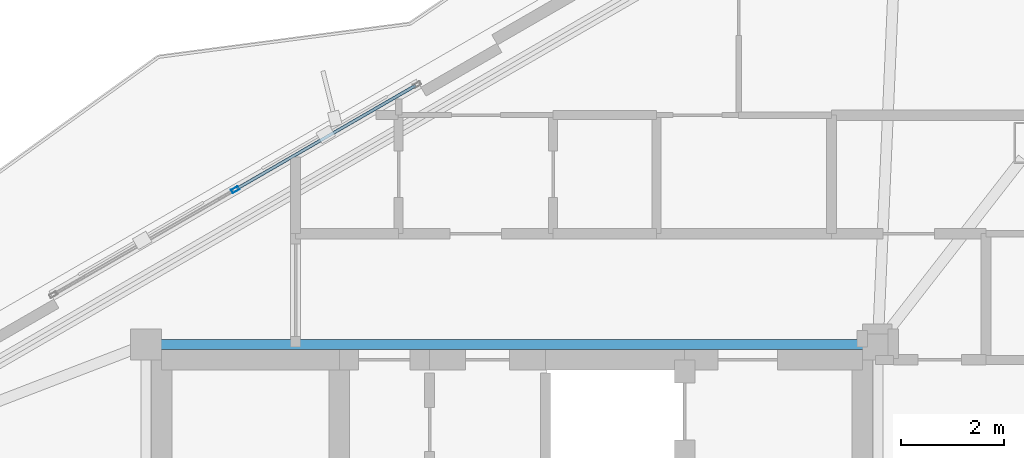
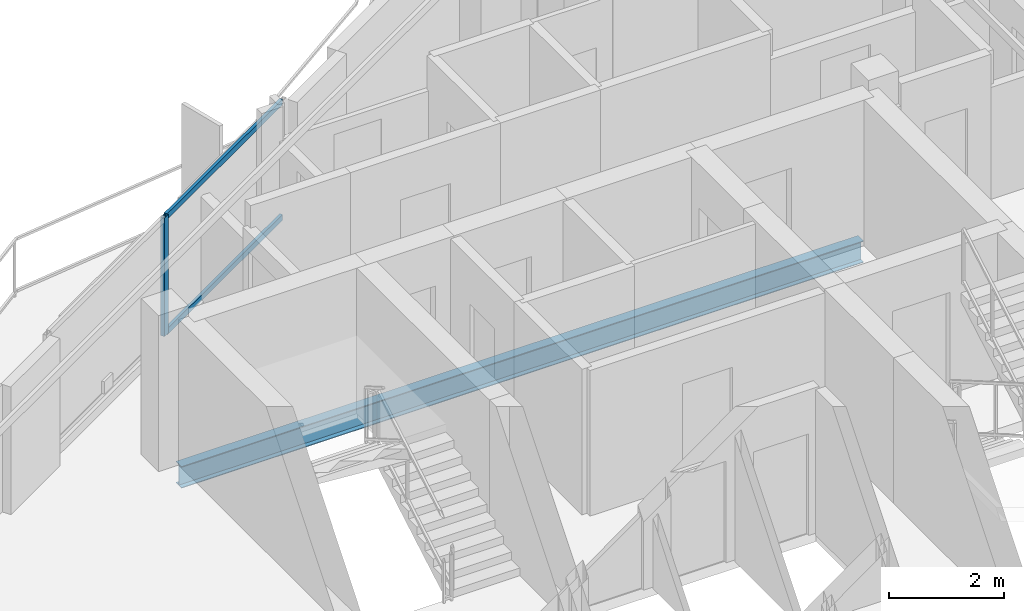
# One storey, part 10 of 18: 3 members, 1 beam, 1 element without a shape of its own.
"""IFC4 building model written with IfcOpenShell, lengths in metres."""

from ifc_helpers import new_model, si_unit, direction, frame, origin, origin_2d, place, context, subcontext, project, spatial, hollow_rectangle, i_section, extrude, material, layer, layer_set, material_profile, profile_set, type_object, element, aggregate, save


model = new_model("IFC4")

# Units and contexts
model_context = context("Model", 3, precision=1e-05, world=origin(), true_north=direction((0.0, 1.0)))
body_context = subcontext(model_context, "Body", "Model", "MODEL_VIEW")
ifc_project = project(units=[si_unit("LENGTHUNIT", "METRE"), si_unit("AREAUNIT", "SQUARE_METRE"), si_unit("VOLUMEUNIT", "CUBIC_METRE"), si_unit("PLANEANGLEUNIT", "RADIAN"), si_unit("MASSUNIT", "GRAM", prefix="KILO")], contexts=[model_context])

# Site, building, storey
site_placement = place(None, origin())
site = spatial("IfcSite", under=ifc_project, at=site_placement, CompositionType="ELEMENT")
building_placement = place(site_placement, origin())
building = spatial("IfcBuilding", under=site, at=building_placement, Name="Mersakhor Tower and Convention Hall", CompositionType="ELEMENT")
storey_placement = place(building_placement, frame((0.0, 0.0, 243.0)))
storey = spatial("IfcBuildingStorey", under=building, at=storey_placement, Name="L68", CompositionType="ELEMENT", Elevation=243.0)

# Beam
ifc_material_1 = material(Name="Steel S355", Category="steel")
ifc_material_profile_1 = material_profile(ifc_material_1, i_section(OverallWidth=0.19140625, OverallDepth=0.4599609375, WebThickness=0.010009765625, FlangeThickness=0.01611328125, at=origin_2d()), Name="UB 457x191x82")
ifc_profile_set_1 = profile_set([ifc_material_profile_1], Name="Steel S355")
beam_type = type_object("IfcBeamType", Name="BM-FB-457", PredefinedType="BEAM", material=ifc_profile_set_1)
beam_placement = place(storey_placement, frame((22.179931640625, 33.050048828125, -0.449951171875), z_axis=(1.0, 0.0, 0.0), x_axis=(0.0, 1.0, 0.0)))
element("IfcBeam", 1, at=beam_placement, inside=storey, type_object=beam_type, Name="L68 Core Ring Tie Beam CRB-2", PredefinedType="BEAM", context=body_context, shape_type="SweptSolid", body=[
    extrude(i_section(OverallWidth=0.19140625, OverallDepth=0.4599609375, WebThickness=0.010009765625, FlangeThickness=0.01611328125, at=origin_2d()), origin(), (0.0, 0.0, 1.0), 13.64013671875),
])

# Curtain wall, members
ifc_material_2 = material(Name="Dark solar low-E aluminium curtain wall", Category="aluminium")
ifc_layer = layer(ifc_material_2, 0.179931640625)
ifc_layer_set = layer_set([ifc_layer], Name="Dark solar low-E aluminium curtain wall")
curtain_wall_type = type_object("IfcCurtainWallType", Name="CW-SYS-03", PredefinedType="USERDEFINED", material=ifc_layer_set)
curtain_wall_placement = place(storey_placement, origin())
curtain_wall = element("IfcCurtainWall", 2, at=curtain_wall_placement, inside=storey, type_object=curtain_wall_type, Name="L68 Dark-Glass Curtain Wall F1-B2", ObjectType="CURTAIN WALL", PredefinedType="USERDEFINED")
ifc_material_3 = material(Name="Anodised aluminium EN AW-6063 T6", Category="aluminium")
ifc_material_profile_2 = material_profile(ifc_material_3, hollow_rectangle(XDim=0.074951171875, YDim=0.14990234375, WallThickness=0.00634765625, at=origin_2d()), Name="RHS 150x75x6.3")
ifc_profile_set_2 = profile_set([ifc_material_profile_2], Name="Anodised aluminium EN AW-6063 T6")
member_type_1 = type_object("IfcMemberType", Name="CWM-150x75", PredefinedType="MULLION", material=ifc_profile_set_2)
member_1_placement = place(storey_placement, frame((23.628662109375, 36.053466796875, 0.199951171875), z_axis=(0.0, 0.0, 1.0), x_axis=(-0.500004411169, 0.86602285698, 0.0)))
member_1 = element("IfcMember", 3, at=member_1_placement, type_object=member_type_1, Name="CW-03 mullion 2", PredefinedType="MULLION", context=body_context, shape_type="SweptSolid", body=[
    extrude(hollow_rectangle(XDim=0.074951171875, YDim=0.14990234375, WallThickness=0.00634765625, at=origin_2d()), origin(), (0.0, 0.0, 1.0), 2.5),
])
ifc_material_4 = material(Name="Anodised aluminium EN AW-6063 T6", Category="aluminium")
ifc_material_profile_3 = material_profile(ifc_material_4, hollow_rectangle(XDim=0.06005859375, YDim=0.1201171875, WallThickness=0.0048828125, at=origin_2d()), Name="RHS 120x60x5")
ifc_profile_set_3 = profile_set([ifc_material_profile_3], Name="Anodised aluminium EN AW-6063 T6")
member_type_2 = type_object("IfcMemberType", Name="CWT-120x60", PredefinedType="USERDEFINED", material=ifc_profile_set_3)
member_2_placement = place(storey_placement, frame((23.6611328125, 36.072265625, 0.22998046875), z_axis=(0.866023018642, 0.500004131166, 0.0), x_axis=(-0.500004131166, 0.866023018642, 0.0)))
member_2 = element("IfcMember", 4, at=member_2_placement, type_object=member_type_2, Name="CW-03 transom 2.1", ObjectType="TRANSOM", PredefinedType="USERDEFINED", context=body_context, shape_type="SweptSolid", body=[
    extrude(hollow_rectangle(XDim=0.06005859375, YDim=0.1201171875, WallThickness=0.0048828125, at=origin_2d()), origin(), (0.0, 0.0, 1.0), 4.00146484375),
])
member_3_placement = place(storey_placement, frame((23.6611328125, 36.072265625, 2.669921875), z_axis=(0.866023018642, 0.500004131166, 0.0), x_axis=(-0.500004131166, 0.866023018642, 0.0)))
member_3 = element("IfcMember", 5, at=member_3_placement, type_object=member_type_2, Name="CW-03 transom 2.2", ObjectType="TRANSOM", PredefinedType="USERDEFINED", context=body_context, shape_type="SweptSolid", body=[
    extrude(hollow_rectangle(XDim=0.06005859375, YDim=0.1201171875, WallThickness=0.0048828125, at=origin_2d()), origin(), (0.0, 0.0, 1.0), 4.00146484375),
])
aggregate(curtain_wall, [member_1, member_2, member_3])

save(model, "model.ifc")
